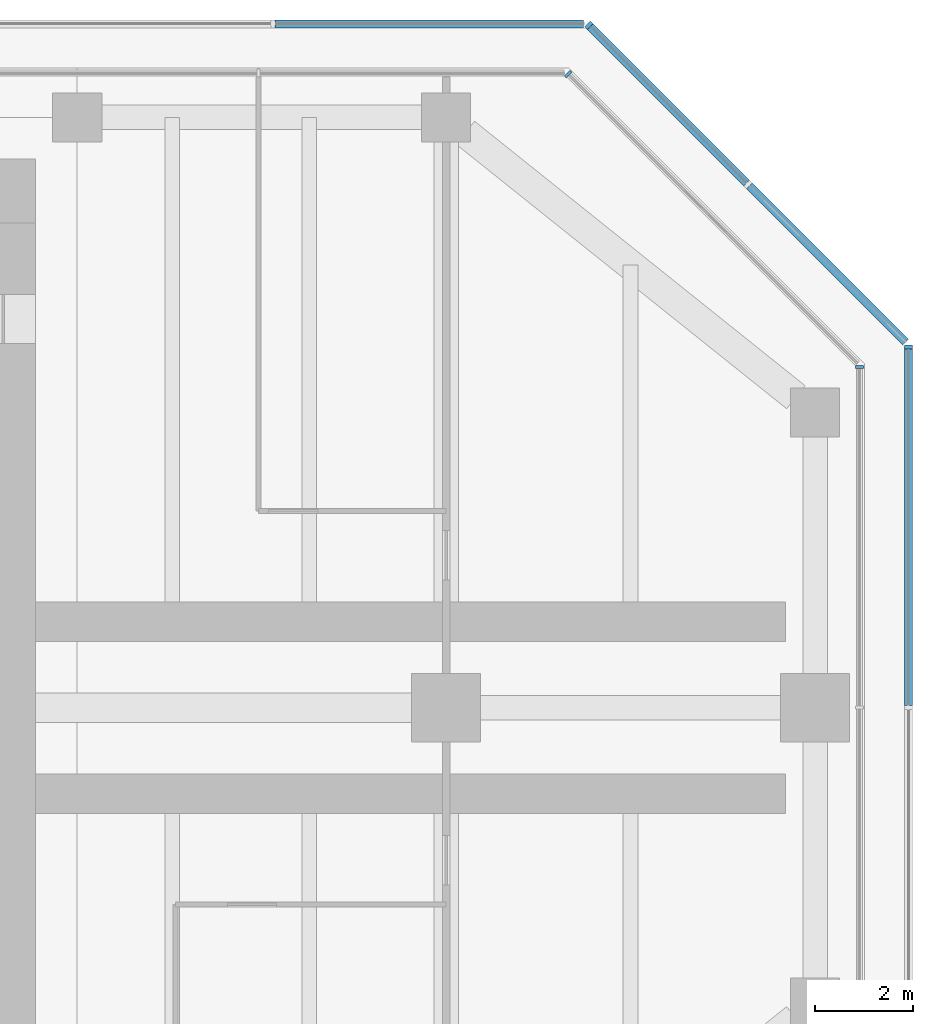
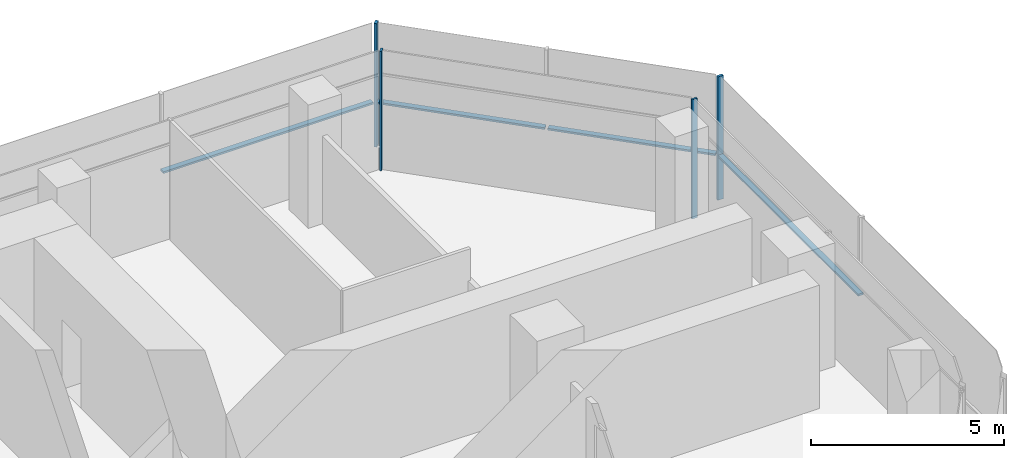
# One storey, part 8 of 15: 8 members, 5 elements without a shape of their own.
"""IFC4 building model written with IfcOpenShell, lengths in metres."""

from ifc_helpers import new_model, si_unit, direction, frame, origin, origin_2d, place, context, subcontext, project, spatial, rectangle, extrude, material, material_profile, profile_set, type_object, element, aggregate, save


model = new_model("IFC4")

# Units and contexts
model_context = context("Model", 3, precision=1e-05, world=origin(), true_north=direction((0.0, 1.0)))
body_context = subcontext(model_context, "Body", "Model", "MODEL_VIEW")
ifc_project = project(units=[si_unit("LENGTHUNIT", "METRE"), si_unit("AREAUNIT", "SQUARE_METRE"), si_unit("VOLUMEUNIT", "CUBIC_METRE"), si_unit("PLANEANGLEUNIT", "RADIAN"), si_unit("MASSUNIT", "GRAM", prefix="KILO")], contexts=[model_context])

# Site, building, storey
site_placement = place(None, origin())
site = spatial("IfcSite", under=ifc_project, at=site_placement, CompositionType="ELEMENT")
building_placement = place(site_placement, origin())
building = spatial("IfcBuilding", under=site, at=building_placement, Name="Mizan Broadcast Tower", CompositionType="ELEMENT")
storey_placement = place(building_placement, frame((0.0, 0.0, 275.10009765625)))
storey = spatial("IfcBuildingStorey", under=building, at=storey_placement, Name="L65", CompositionType="ELEMENT", Elevation=275.10009765625)

# Curtain wall, member
ifc_material_1 = material(Name="Aluminium framed glazing", Category="aluminium")
curtain_wall_type_1 = type_object("IfcCurtainWallType", Name="INNER SKIN TOP ZONE", PredefinedType="USERDEFINED", material=ifc_material_1)
curtain_wall_1_placement = place(storey_placement, origin())
curtain_wall_1 = element("IfcCurtainWall", 1, at=curtain_wall_1_placement, inside=storey, type_object=curtain_wall_type_1, Name="Inner skin top zone L65 E end", ObjectType="INNER SKIN TOP ZONE", PredefinedType="USERDEFINED")
ifc_material_2 = material(Name="Aluminium, pale anodised", Category="aluminium")
ifc_material_profile_1 = material_profile(ifc_material_2, rectangle(XDim=0.159912109375, YDim=0.06005859375, at=origin_2d()), Name="MULLION 160x60")
ifc_profile_set_1 = profile_set([ifc_material_profile_1], Name="Aluminium, pale anodised")
member_type_1 = type_object("IfcMemberType", Name="INNER SKIN MULLION 60x160", PredefinedType="MULLION", material=ifc_profile_set_1)
member_1_placement = place(storey_placement, frame((27.89990234375, 6.928466796875, 0.0), z_axis=(0.0, 0.0, 1.0), x_axis=(-1.0, 0.0, 0.0)))
member_1 = element("IfcMember", 2, at=member_1_placement, type_object=member_type_1, Name="Inner skin top zone L65 E end mullion 3", PredefinedType="MULLION", context=body_context, shape_type="SweptSolid", body=[
    extrude(rectangle(XDim=0.159912109375, YDim=0.06005859375, at=origin_2d()), origin(), (0.0, 0.0, 1.0), 3.77001953125),
])
aggregate(curtain_wall_1, [member_1])

curtain_wall_2_placement = place(storey_placement, origin())
curtain_wall_2 = element("IfcCurtainWall", 3, at=curtain_wall_2_placement, inside=storey, type_object=curtain_wall_type_1, Name="Inner skin top zone L65 E chamfer", ObjectType="INNER SKIN TOP ZONE", PredefinedType="USERDEFINED")
member_2_placement = place(storey_placement, frame((21.979736328125, 12.87890625, 0.0), z_axis=(0.0, 0.0, 1.0), x_axis=(-0.707106781187, -0.707106781187, 0.0)))
member_2 = element("IfcMember", 4, at=member_2_placement, type_object=member_type_1, Name="Inner skin top zone L65 E chamfer mullion 2", PredefinedType="MULLION", context=body_context, shape_type="SweptSolid", body=[
    extrude(rectangle(XDim=0.159912109375, YDim=0.06005859375, at=origin_2d()), origin(), (0.0, 0.0, 1.0), 3.77001953125),
])
aggregate(curtain_wall_2, [member_2])

ifc_material_3 = material(Name="Aluminium framed glazing", Category="aluminium")
curtain_wall_type_2 = type_object("IfcCurtainWallType", Name="OUTER SKIN", PredefinedType="USERDEFINED", material=ifc_material_3)
curtain_wall_3_placement = place(storey_placement, origin())
curtain_wall_3 = element("IfcCurtainWall", 5, at=curtain_wall_3_placement, inside=storey, type_object=curtain_wall_type_2, Name="Outer skin L65 E end", ObjectType="OUTER SKIN", PredefinedType="USERDEFINED")
ifc_material_4 = material(Name="Aluminium, pale anodised", Category="aluminium")
ifc_material_profile_2 = material_profile(ifc_material_4, rectangle(XDim=0.159912109375, YDim=0.080078125, at=origin_2d()), Name="MULLION 160x80")
ifc_profile_set_2 = profile_set([ifc_material_profile_2], Name="Aluminium, pale anodised")
member_type_2 = type_object("IfcMemberType", Name="OUTER SKIN MULLION 80x160", PredefinedType="MULLION", material=ifc_profile_set_2)
member_3_placement = place(storey_placement, frame((28.89990234375, 7.332763671875, 0.0), z_axis=(0.0, 0.0, 1.0), x_axis=(-1.0, 0.0, 0.0)))
member_3 = element("IfcMember", 6, at=member_3_placement, type_object=member_type_2, Name="Outer skin L65 E end mullion 3", PredefinedType="MULLION", context=body_context, shape_type="SweptSolid", body=[
    extrude(rectangle(XDim=0.159912109375, YDim=0.080078125, at=origin_2d()), origin(), (0.0, 0.0, 1.0), 3.89990234375),
])

curtain_wall_4_placement = place(storey_placement, origin())
curtain_wall_4 = element("IfcCurtainWall", 7, at=curtain_wall_4_placement, inside=storey, type_object=curtain_wall_type_2, Name="Outer skin L65 E chamfer", ObjectType="OUTER SKIN", PredefinedType="USERDEFINED")
member_4_placement = place(storey_placement, frame((22.401123046875, 13.871826171875, 0.0), z_axis=(0.0, 0.0, 1.0), x_axis=(-0.707106781187, -0.707106781187, 0.0)))
member_4 = element("IfcMember", 8, at=member_4_placement, type_object=member_type_2, Name="Outer skin L65 E chamfer mullion 3", PredefinedType="MULLION", context=body_context, shape_type="SweptSolid", body=[
    extrude(rectangle(XDim=0.159912109375, YDim=0.080078125, at=origin_2d()), origin(), (0.0, 0.0, 1.0), 3.89990234375),
])

# Member
ifc_material_5 = material(Name="Aluminium, pale anodised", Category="aluminium")
ifc_material_profile_3 = material_profile(ifc_material_5, rectangle(XDim=0.159912109375, YDim=0.06005859375, at=origin_2d()), Name="TRANSOM 160x60")
ifc_profile_set_3 = profile_set([ifc_material_profile_3], Name="Aluminium, pale anodised")
member_type_3 = type_object("IfcMemberType", Name="OUTER SKIN TRANSOM 60x160", PredefinedType="USERDEFINED", material=ifc_profile_set_3)
member_5_placement = place(storey_placement, frame((28.89990234375, 0.0400390625, 1.39990234375), z_axis=(0.0, 1.0, 0.0), x_axis=(-1.0, 0.0, 0.0)))
member_5 = element("IfcMember", 9, at=member_5_placement, type_object=member_type_3, Name="Outer skin L65 E end transom 2.1", ObjectType="TRANSOM", PredefinedType="USERDEFINED", context=body_context, shape_type="SweptSolid", body=[
    extrude(rectangle(XDim=0.159912109375, YDim=0.06005859375, at=origin_2d()), origin(), (0.0, 0.0, 1.0), 7.252685546875),
])

aggregate(curtain_wall_3, [member_3, member_5])

member_6_placement = place(storey_placement, frame((28.843505859375, 7.429443359375, 1.39990234375), z_axis=(-0.707106781187, 0.707106781187, 0.0), x_axis=(-0.707106781187, -0.707106781187, 0.0)))
member_6 = element("IfcMember", 10, at=member_6_placement, type_object=member_type_3, Name="Outer skin L65 E chamfer transom 1.1", ObjectType="TRANSOM", PredefinedType="USERDEFINED", context=body_context, shape_type="SweptSolid", body=[
    extrude(rectangle(XDim=0.159912109375, YDim=0.06005859375, at=origin_2d()), origin(), (0.0, 0.0, 1.0), 4.495361328125),
])

member_7_placement = place(storey_placement, frame((25.608154296875, 10.664794921875, 1.39990234375), z_axis=(-0.707106781187, 0.707106781187, 0.0), x_axis=(-0.707106781187, -0.707106781187, 0.0)))
member_7 = element("IfcMember", 11, at=member_7_placement, type_object=member_type_3, Name="Outer skin L65 E chamfer transom 2.1", ObjectType="TRANSOM", PredefinedType="USERDEFINED", context=body_context, shape_type="SweptSolid", body=[
    extrude(rectangle(XDim=0.159912109375, YDim=0.06005859375, at=origin_2d()), origin(), (0.0, 0.0, 1.0), 4.495361328125),
])

aggregate(curtain_wall_4, [member_4, member_6, member_7])

# Curtain wall, member
curtain_wall_5_placement = place(storey_placement, origin())
curtain_wall_5 = element("IfcCurtainWall", 12, at=curtain_wall_5_placement, inside=storey, type_object=curtain_wall_type_2, Name="Outer skin L65 N end", ObjectType="OUTER SKIN", PredefinedType="USERDEFINED")
member_8_placement = place(storey_placement, frame((22.292724609375, 13.89990234375, 1.39990234375), z_axis=(-1.0, 0.0, 0.0), x_axis=(0.0, -1.0, 0.0)))
member_8 = element("IfcMember", 13, at=member_8_placement, type_object=member_type_3, Name="Outer skin L65 N end transom 1.1", ObjectType="TRANSOM", PredefinedType="USERDEFINED", context=body_context, shape_type="SweptSolid", body=[
    extrude(rectangle(XDim=0.159912109375, YDim=0.06005859375, at=origin_2d()), origin(), (0.0, 0.0, 1.0), 6.272216796875),
])
aggregate(curtain_wall_5, [member_8])

save(model, "model.ifc")
